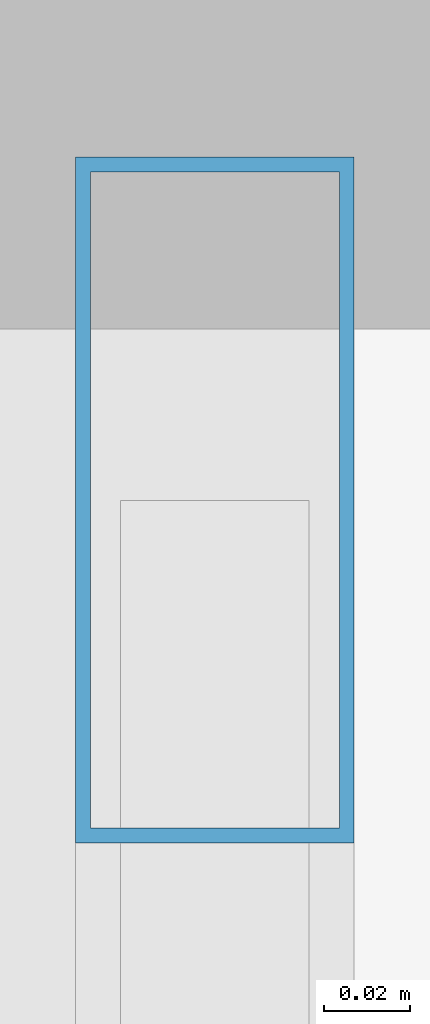
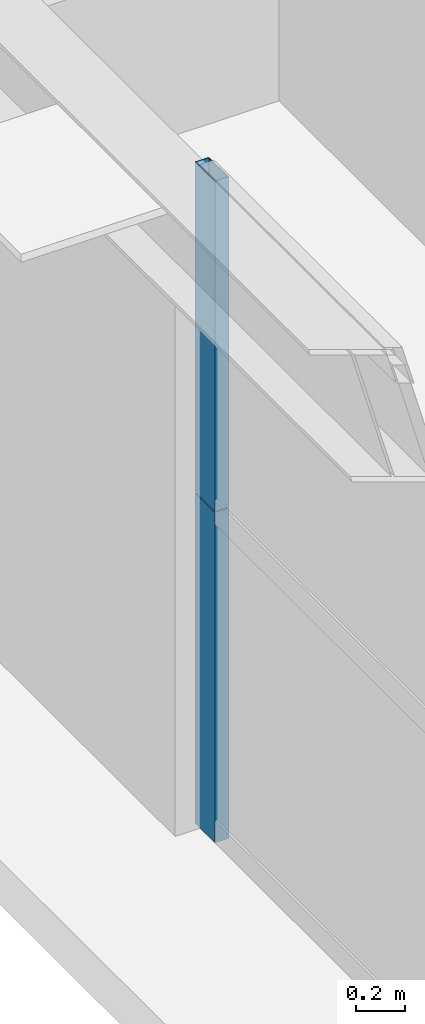
# One storey, part 23 of 38: 2 members, 1 element without a shape of its own.
"""IFC4 building model written with IfcOpenShell, lengths in metres."""

from ifc_helpers import new_model, si_unit, direction, frame, origin, origin_2d, place, context, subcontext, project, spatial, hollow_rectangle, extrude, source, transform, mapped, material, layer, layer_set, material_profile, profile_set, type_object, element, aggregate, save


model = new_model("IFC4")

# Units and contexts
model_context = context("Model", 3, precision=1e-05, world=origin(), true_north=direction((0.0, 1.0)))
body_context = subcontext(model_context, "Body", "Model", "MODEL_VIEW")
ifc_project = project(units=[si_unit("LENGTHUNIT", "METRE"), si_unit("AREAUNIT", "SQUARE_METRE"), si_unit("VOLUMEUNIT", "CUBIC_METRE"), si_unit("PLANEANGLEUNIT", "RADIAN"), si_unit("MASSUNIT", "GRAM", prefix="KILO"), si_unit("THERMODYNAMICTEMPERATUREUNIT", "KELVIN"), si_unit("POWERUNIT", "WATT")], contexts=[model_context])

# Site, building, storey
site_placement = place(None, origin())
site = spatial("IfcSite", under=ifc_project, at=site_placement, CompositionType="ELEMENT")
building_placement = place(site_placement, origin())
building = spatial("IfcBuilding", under=site, at=building_placement, Name="Yuzanri Waterfront Tower", CompositionType="ELEMENT")
storey_placement = place(building_placement, frame((0.0, 0.0, 188.0)))
storey = spatial("IfcBuildingStorey", under=building, at=storey_placement, Name="L49", CompositionType="ELEMENT", Elevation=188.0)

# Curtain wall, members
ifc_material_1 = material(Name="Anodized Architectural Bronze", Category="metal")
ifc_layer = layer(ifc_material_1, 0.159912109375)
ifc_layer_set = layer_set([ifc_layer], Name="Anodized Architectural Bronze")
curtain_wall_type = type_object("IfcCurtainWallType", Name="Anodized Bronze Mid-Rise Residential Acoustic Unitized Curtain Wall 7200", PredefinedType="NOTDEFINED", material=ifc_layer_set)
curtain_wall_placement = place(storey_placement, origin())
curtain_wall = element("IfcCurtainWall", 1, at=curtain_wall_placement, inside=storey, type_object=curtain_wall_type, Name="L49 Curtain Wall CW-L49-WR", PredefinedType="NOTDEFINED")
ifc_material_2 = material(Name="Anodized Architectural Bronze", Category="metal")
ifc_material_profile = material_profile(ifc_material_2, hollow_rectangle(XDim=0.06494140625, YDim=0.159912109375, WallThickness=0.00341796875, at=origin_2d()), Name="CWM 65x160")
ifc_profile_set = profile_set([ifc_material_profile], Name="Anodized Architectural Bronze")
member_type = type_object("IfcMemberType", Name="Anodized Bronze Upper-Zone Curtain-Wall Mullion 65x160", PredefinedType="MULLION", material=ifc_profile_set)
shared_shape = source(origin(), body_context, "Body", "SweptSolid", [
    extrude(hollow_rectangle(XDim=0.06494140625, YDim=0.159912109375, WallThickness=0.00341796875, at=origin_2d()), origin(), (0.0, 0.0, 1.0), 1.637939453125),
])
member_1_placement = place(storey_placement, frame((15.050048828125, 40.510009765625, 0.0), z_axis=(0.0, 0.0, 1.0), x_axis=(1.0, 0.0, 0.0)))
member_1 = element("IfcMember", 2, at=member_1_placement, type_object=member_type, Name="CW-L49-WR Lower Mullion 02", PredefinedType="MULLION", context=body_context, shape_type="MappedRepresentation", body=[
    mapped(shared_shape, transform((0.0, 0.0, 0.0), scale=1.0)),
])
member_2_placement = place(storey_placement, frame((15.050048828125, 40.510009765625, 1.64208984375), z_axis=(0.0, 0.0, 1.0), x_axis=(1.0, 0.0, 0.0)))
member_2 = element("IfcMember", 3, at=member_2_placement, type_object=member_type, Name="CW-L49-WR Upper Mullion 02", PredefinedType="MULLION", context=body_context, shape_type="MappedRepresentation", body=[
    mapped(shared_shape, transform((0.0, 0.0, 0.0), scale=1.0)),
])
aggregate(curtain_wall, [member_1, member_2])

save(model, "model.ifc")
